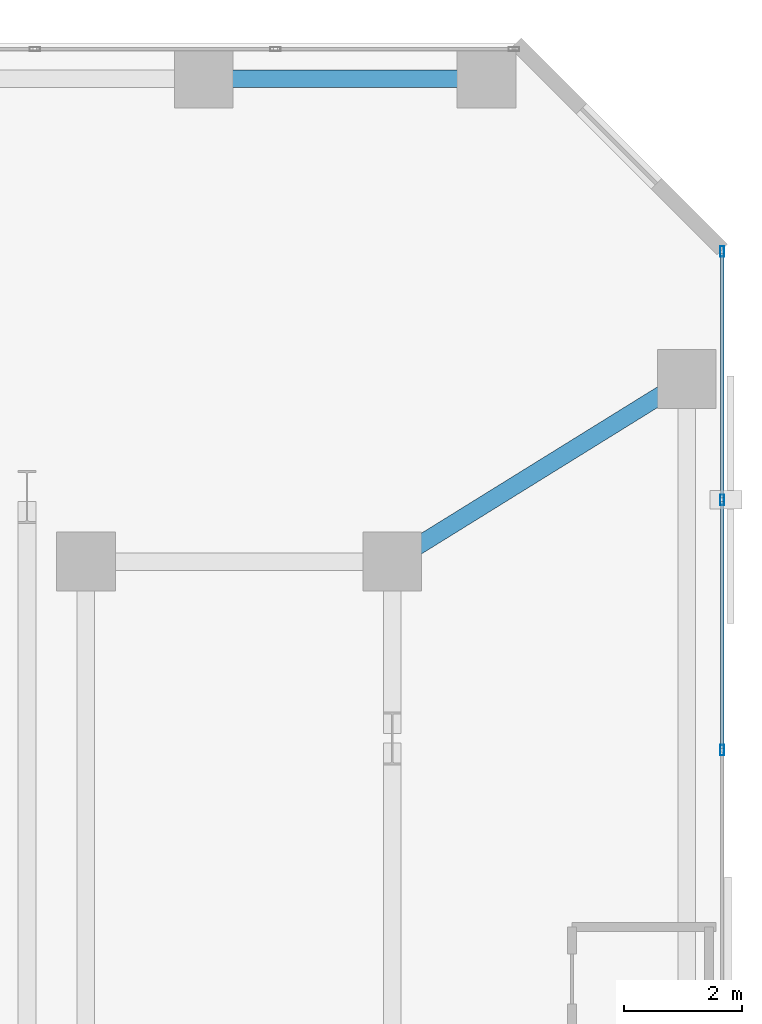
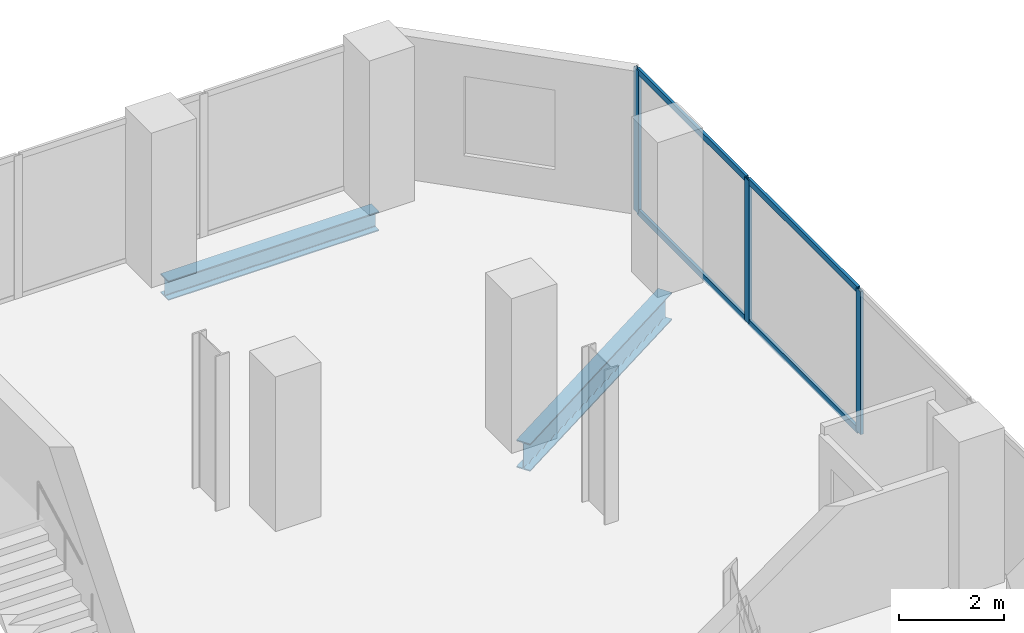
# One storey, part 23 of 32: 7 members, 2 beams, 1 element without a shape of its own.
"""IFC4 building model written with IfcOpenShell, lengths in metres."""

from ifc_helpers import new_model, si_unit, direction, frame, origin, origin_2d, place, context, subcontext, project, spatial, hollow_rectangle, i_section, extrude, material, layer, layer_set, material_profile, profile_set, type_object, element, aggregate, save


model = new_model("IFC4")

# Units and contexts
model_context = context("Model", 3, precision=1e-05, world=origin(), true_north=direction((0.0, 1.0)))
body_context = subcontext(model_context, "Body", "Model", "MODEL_VIEW")
ifc_project = project(units=[si_unit("LENGTHUNIT", "METRE"), si_unit("AREAUNIT", "SQUARE_METRE"), si_unit("VOLUMEUNIT", "CUBIC_METRE"), si_unit("PLANEANGLEUNIT", "RADIAN"), si_unit("MASSUNIT", "GRAM", prefix="KILO")], contexts=[model_context])

# Site, building, storey
site_placement = place(None, origin())
site = spatial("IfcSite", under=ifc_project, at=site_placement, CompositionType="ELEMENT")
building_placement = place(site_placement, origin())
building = spatial("IfcBuilding", under=site, at=building_placement, Name="Catumbela Crestline Tower", CompositionType="ELEMENT")
storey_placement = place(building_placement, frame((0.0, 0.0, 29.4)))
storey = spatial("IfcBuildingStorey", under=building, at=storey_placement, Name="L06", CompositionType="ELEMENT", Elevation=29.4)

# Beam
ifc_material_1 = material(Name="Structural steel S355J2", Category="steel")
ifc_material_profile_1 = material_profile(ifc_material_1, i_section(OverallWidth=0.3, OverallDepth=0.64, WebThickness=0.0135, FlangeThickness=0.026, FilletRadius=0.027, at=origin_2d()), Name="HEA 650")
ifc_profile_set_1 = profile_set([ifc_material_profile_1], Name="Structural steel S355J2")
beam_type_1 = type_object("IfcBeamType", Name="BG-HEA650", PredefinedType="BEAM", material=ifc_profile_set_1)
beam_1_placement = place(storey_placement, frame((50.468, 39.2422, -0.58), z_axis=(0.849908952007, 0.526929571479, 0.0), x_axis=(-0.526929571479, 0.849908952007, 0.0)))
element("IfcBeam", 1, at=beam_1_placement, inside=storey, type_object=beam_type_1, Name="L06 Beam BM-L06-N18", PredefinedType="BEAM", context=body_context, shape_type="SweptSolid", body=[
    extrude(i_section(OverallWidth=0.3, OverallDepth=0.64, WebThickness=0.0135, FlangeThickness=0.026, FilletRadius=0.027, at=origin_2d()), origin(), (0.0, 0.0, 1.0), 5.723),
])

# Curtain wall, members
ifc_material_2 = material(Name="Aluminium alloy AW-6060-T66", Category="aluminium")
ifc_layer = layer(ifc_material_2, 0.18, Name="Aluminium alloy AW-6060-T66")
ifc_layer_set = layer_set([ifc_layer], Name="Aluminium alloy AW-6060-T66")
curtain_wall_type = type_object("IfcCurtainWallType", Name="CWU-Z1", PredefinedType="USERDEFINED", material=ifc_layer_set)
curtain_wall_placement = place(storey_placement, origin())
curtain_wall = element("IfcCurtainWall", 2, at=curtain_wall_placement, inside=storey, type_object=curtain_wall_type, Name="L06 Unitised Curtain Wall CW-L06-E5S1", ObjectType="UNITISED", PredefinedType="USERDEFINED")
ifc_material_profile_2 = material_profile(ifc_material_2, hollow_rectangle(XDim=0.065, YDim=0.18, WallThickness=0.004, at=origin_2d()), Name="ALU 180x65x4")
ifc_profile_set_2 = profile_set([ifc_material_profile_2], Name="Aluminium alloy AW-6060-T66")
member_type_1 = type_object("IfcMemberType", Name="MUL-180X65", PredefinedType="MULLION", material=ifc_profile_set_2)
member_1_placement = place(storey_placement, frame((56.0, 36.0, 0.0), z_axis=(0.0, 0.0, 1.0), x_axis=(-1.0, 0.0, 0.0)))
member_1 = element("IfcMember", 3, at=member_1_placement, type_object=member_type_1, Name="CWU-Z1 mullion 3", PredefinedType="MULLION", context=body_context, shape_type="SweptSolid", body=[
    extrude(hollow_rectangle(XDim=0.065, YDim=0.18, WallThickness=0.004, at=origin_2d()), origin(), (0.0, 0.0, 1.0), 3.33),
])
member_2_placement = place(storey_placement, frame((56.0, 40.25, 0.0), z_axis=(0.0, 0.0, 1.0), x_axis=(-1.0, 0.0, 0.0)))
member_2 = element("IfcMember", 4, at=member_2_placement, type_object=member_type_1, Name="CWU-Z1 mullion 4", PredefinedType="MULLION", context=body_context, shape_type="SweptSolid", body=[
    extrude(hollow_rectangle(XDim=0.065, YDim=0.18, WallThickness=0.004, at=origin_2d()), origin(), (0.0, 0.0, 1.0), 3.33),
])
member_3_placement = place(storey_placement, frame((56.0, 44.4675, 0.0), z_axis=(0.0, 0.0, 1.0), x_axis=(-1.0, 0.0, 0.0)))
member_3 = element("IfcMember", 5, at=member_3_placement, type_object=member_type_1, Name="CWU-Z1 mullion 5", PredefinedType="MULLION", context=body_context, shape_type="SweptSolid", body=[
    extrude(hollow_rectangle(XDim=0.065, YDim=0.18, WallThickness=0.004, at=origin_2d()), origin(), (0.0, 0.0, 1.0), 3.33),
])

# Beam
ifc_material_profile_3 = material_profile(ifc_material_1, i_section(OverallWidth=0.3, OverallDepth=0.45, WebThickness=0.014, FlangeThickness=0.026, FilletRadius=0.027, at=origin_2d()), Name="HEB 450")
ifc_profile_set_3 = profile_set([ifc_material_profile_3], Name="Structural steel S355J2")
beam_type_2 = type_object("IfcBeamType", Name="BS-HEB450", PredefinedType="SPANDREL", material=ifc_profile_set_3)
beam_2_placement = place(storey_placement, frame((47.28, 47.4, -0.485), z_axis=(1.0, 0.0, 0.0), x_axis=(0.0, 1.0, 0.0)))
element("IfcBeam", 6, at=beam_2_placement, inside=storey, type_object=beam_type_2, Name="L06 Spandrel SP-L06-NF24", PredefinedType="SPANDREL", context=body_context, shape_type="SweptSolid", body=[
    extrude(i_section(OverallWidth=0.3, OverallDepth=0.45, WebThickness=0.014, FlangeThickness=0.026, FilletRadius=0.027, at=origin_2d()), origin(), (0.0, 0.0, 1.0), 4.64),
])

# Member
ifc_material_profile_4 = material_profile(ifc_material_2, hollow_rectangle(XDim=0.06, YDim=0.14, WallThickness=0.004, at=origin_2d()), Name="ALU 140x60x4")
ifc_profile_set_4 = profile_set([ifc_material_profile_4], Name="Aluminium alloy AW-6060-T66")
member_type_2 = type_object("IfcMemberType", Name="TRN-140X60", PredefinedType="USERDEFINED", material=ifc_profile_set_4)
member_4_placement = place(storey_placement, frame((56.0, 36.0325, 0.03), z_axis=(0.0, 1.0, 0.0), x_axis=(-1.0, 0.0, 0.0)))
member_4 = element("IfcMember", 7, at=member_4_placement, type_object=member_type_2, Name="CWU-Z1 transom 3.1", ObjectType="TRANSOM", PredefinedType="USERDEFINED", context=body_context, shape_type="SweptSolid", body=[
    extrude(hollow_rectangle(XDim=0.06, YDim=0.14, WallThickness=0.004, at=origin_2d()), origin(), (0.0, 0.0, 1.0), 4.185),
])

member_5_placement = place(storey_placement, frame((56.0, 36.0325, 3.3), z_axis=(0.0, 1.0, 0.0), x_axis=(-1.0, 0.0, 0.0)))
member_5 = element("IfcMember", 8, at=member_5_placement, type_object=member_type_2, Name="CWU-Z1 transom 3.2", ObjectType="TRANSOM", PredefinedType="USERDEFINED", context=body_context, shape_type="SweptSolid", body=[
    extrude(hollow_rectangle(XDim=0.06, YDim=0.14, WallThickness=0.004, at=origin_2d()), origin(), (0.0, 0.0, 1.0), 4.185),
])

member_6_placement = place(storey_placement, frame((56.0, 40.2825, 0.03), z_axis=(0.0, 1.0, 0.0), x_axis=(-1.0, 0.0, 0.0)))
member_6 = element("IfcMember", 9, at=member_6_placement, type_object=member_type_2, Name="CWU-Z1 transom 4.1", ObjectType="TRANSOM", PredefinedType="USERDEFINED", context=body_context, shape_type="SweptSolid", body=[
    extrude(hollow_rectangle(XDim=0.06, YDim=0.14, WallThickness=0.004, at=origin_2d()), origin(), (0.0, 0.0, 1.0), 4.1525),
])

member_7_placement = place(storey_placement, frame((56.0, 40.2825, 3.3), z_axis=(0.0, 1.0, 0.0), x_axis=(-1.0, 0.0, 0.0)))
member_7 = element("IfcMember", 10, at=member_7_placement, type_object=member_type_2, Name="CWU-Z1 transom 4.2", ObjectType="TRANSOM", PredefinedType="USERDEFINED", context=body_context, shape_type="SweptSolid", body=[
    extrude(hollow_rectangle(XDim=0.06, YDim=0.14, WallThickness=0.004, at=origin_2d()), origin(), (0.0, 0.0, 1.0), 4.1525),
])

aggregate(curtain_wall, [member_1, member_2, member_3, member_4, member_5, member_6, member_7])

save(model, "model.ifc")
